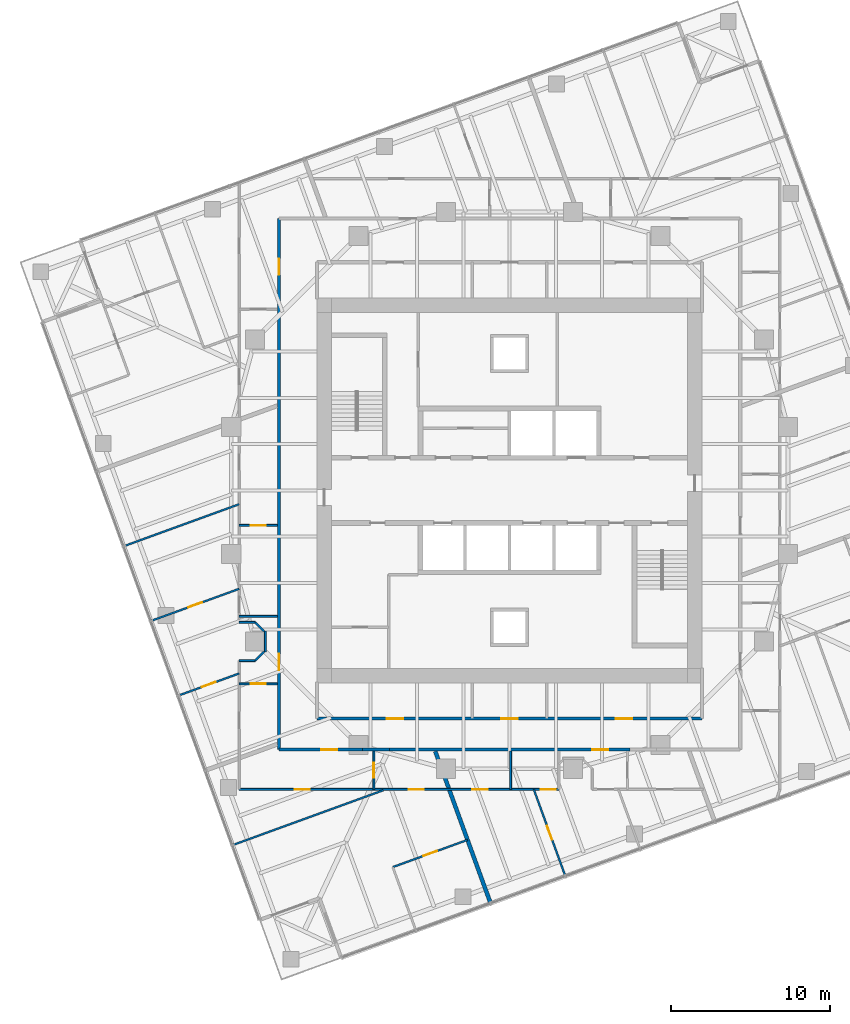
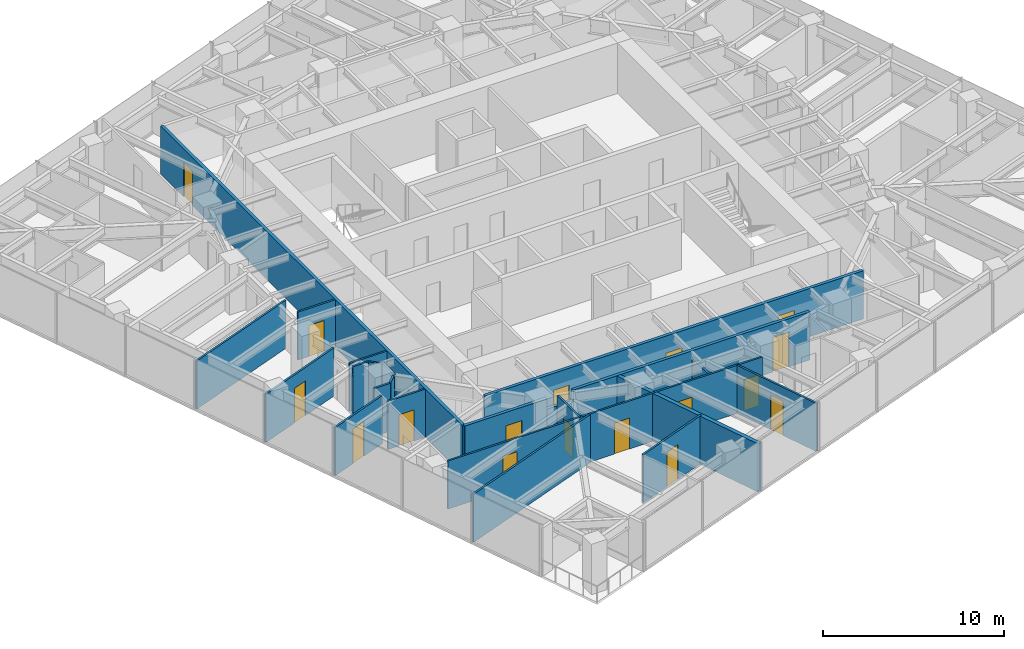
# One storey, part 7 of 13: 23 walls, 18 doors, 18 openings.
"""IFC4 building model written with IfcOpenShell, lengths in metres."""

from ifc_helpers import new_model, si_unit, direction, frame, frame_2d, origin, place, context, subcontext, project, spatial, rectangle, extrude, material, layer, layer_set, type_object, element, fill, save


model = new_model("IFC4")

# Units and contexts
model_context = context("Model", 3, precision=1e-05, world=origin(), true_north=direction((0.0, 1.0)))
body_context = subcontext(model_context, "Body", "Model", "MODEL_VIEW")
ifc_project = project(units=[si_unit("LENGTHUNIT", "METRE"), si_unit("AREAUNIT", "SQUARE_METRE"), si_unit("VOLUMEUNIT", "CUBIC_METRE"), si_unit("PLANEANGLEUNIT", "RADIAN"), si_unit("MASSUNIT", "GRAM", prefix="KILO")], contexts=[model_context])

# Site, building, storey
site_placement = place(None, origin())
site = spatial("IfcSite", under=ifc_project, at=site_placement, CompositionType="ELEMENT")
building_placement = place(site_placement, origin())
building = spatial("IfcBuilding", under=site, at=building_placement, Name="Torsade Residences", CompositionType="ELEMENT")
storey_placement = place(building_placement, frame((0.0, 0.0, 154.0)))
storey = spatial("IfcBuildingStorey", under=building, at=storey_placement, Name="L42", CompositionType="ELEMENT", Elevation=154.0)

# Wall, opening, door
ifc_material_1 = material(Name="Plasterboard on steel stud", Category="steel")
ifc_layer_1 = layer(ifc_material_1, 0.199951171875)
ifc_layer_set_1 = layer_set([ifc_layer_1], Name="Plasterboard on steel stud")
wall_type_1 = type_object("IfcWallType", Name="CORRIDOR WALL 200", PredefinedType="PARTITIONING", material=ifc_layer_set_1)
wall_1_placement = place(storey_placement, frame((25.5, 13.699951171875, 0.0), z_axis=(0.0, 0.0, 1.0), x_axis=(1.0, 0.0, 0.0)))
wall_1 = element("IfcWall", 1, at=wall_1_placement, inside=storey, type_object=wall_type_1, Name="Corridor wall L42", PredefinedType="PARTITIONING", context=body_context, shape_type="SweptSolid", body=[
    extrude(rectangle(XDim=5.25830078125, YDim=0.199951171875, at=frame_2d((2.629150390625, 0.0))), origin(), (0.0, 0.0, 1.0), 3.25),
])
opening_1_placement = place(wall_1_placement, frame((2.646240234375, 0.0, 0.0)))
opening_1 = element("IfcOpeningElement", 2, at=opening_1_placement, cuts=wall_1, Name="Opening D01", PredefinedType="OPENING", context=body_context, shape_type="SweptSolid", body=[
    extrude(rectangle(XDim=1.02001953125, YDim=2.340087890625, at=frame_2d((0.510009765625, 1.169921875))), frame((0.0, 0.10986328125, 0.0), z_axis=(0.0, -1.0, 0.0), x_axis=(1.0, 0.0, 0.0)), (0.0, 0.0, 1.0), 0.219970703125),
])
ifc_material_2 = material(Name="Solid-core timber fire door", Category="wood")
door_type_1 = type_object("IfcDoorType", Name="APARTMENT ENTRY DOOR 1020x2340", OperationType="NOTDEFINED", PredefinedType="DOOR", material=ifc_material_2)
door_1_placement = place(opening_1_placement, origin())
door_1 = element("IfcDoor", 3, at=door_1_placement, inside=storey, type_object=door_type_1, Name="Door Residential corridor to Kitchen and dining", OperationType="SINGLE_SWING_RIGHT", OverallHeight=2.340087890625, OverallWidth=1.02001953125, PredefinedType="DOOR", context=body_context, shape_type="SweptSolid", body=[
    extrude(rectangle(XDim=1.02001953125, YDim=2.340087890625, at=frame_2d((0.510009765625, 1.169921875))), frame((0.0, 0.02490234375, 0.0), z_axis=(0.0, -1.0, 0.0), x_axis=(1.0, 0.0, 0.0)), (0.0, 0.0, 1.0), 0.050048828125),
])
fill(opening_1, door_1)

# Wall
wall_2_placement = place(storey_placement, frame((30.75830078125, 13.699951171875, 0.0), z_axis=(0.0, 0.0, 1.0), x_axis=(1.0, 0.0, 0.0)))
element("IfcWall", 4, at=wall_2_placement, inside=storey, type_object=wall_type_1, Name="Corridor wall L42", PredefinedType="PARTITIONING", context=body_context, shape_type="SweptSolid", body=[
    extrude(rectangle(XDim=1.683349609375, YDim=0.199951171875, at=frame_2d((0.841796875, 0.0))), origin(), (0.0, 0.0, 1.0), 2.550048828125),
])

# Wall, opening, door
wall_3_placement = place(storey_placement, frame((32.441650390625, 13.699951171875, 0.0), z_axis=(0.0, 0.0, 1.0), x_axis=(1.0, 0.0, 0.0)))
wall_3 = element("IfcWall", 5, at=wall_3_placement, inside=storey, type_object=wall_type_1, Name="Corridor wall L42", PredefinedType="PARTITIONING", context=body_context, shape_type="SweptSolid", body=[
    extrude(rectangle(XDim=15.11669921875, YDim=0.199951171875, at=frame_2d((7.558349609375, 0.0))), origin(), (0.0, 0.0, 1.0), 3.25),
])
opening_2_placement = place(wall_3_placement, frame((12.755126953125, 0.0, 0.0)))
opening_2 = element("IfcOpeningElement", 6, at=opening_2_placement, cuts=wall_3, Name="Opening D01", PredefinedType="OPENING", context=body_context, shape_type="SweptSolid", body=[
    extrude(rectangle(XDim=1.02001953125, YDim=2.340087890625, at=frame_2d((0.510009765625, 1.169921875))), frame((0.0, 0.10986328125, 0.0), z_axis=(0.0, -1.0, 0.0), x_axis=(1.0, 0.0, 0.0)), (0.0, 0.0, 1.0), 0.219970703125),
])
door_2_placement = place(opening_2_placement, origin())
door_2 = element("IfcDoor", 7, at=door_2_placement, inside=storey, type_object=door_type_1, Name="Door Residential corridor to Kitchen and dining", OperationType="SINGLE_SWING_RIGHT", OverallHeight=2.340087890625, OverallWidth=1.02001953125, PredefinedType="DOOR", context=body_context, shape_type="SweptSolid", body=[
    extrude(rectangle(XDim=1.02001953125, YDim=2.340087890625, at=frame_2d((0.510009765625, 1.169921875))), frame((0.0, 0.02490234375, 0.0), z_axis=(0.0, -1.0, 0.0), x_axis=(1.0, 0.0, 0.0)), (0.0, 0.0, 1.0), 0.050048828125),
])
fill(opening_2, door_2)

# Wall, openings, doors
wall_4_placement = place(storey_placement, frame((25.5, 47.10009765625, 0.0), z_axis=(0.0, 0.0, 1.0), x_axis=(0.0, -1.0, 0.0)))
wall_4 = element("IfcWall", 8, at=wall_4_placement, inside=storey, type_object=wall_type_1, Name="Corridor wall L42", PredefinedType="PARTITIONING", context=body_context, shape_type="SweptSolid", body=[
    extrude(rectangle(XDim=33.400146484375, YDim=0.199951171875, at=frame_2d((16.7001953125, 0.0))), origin(), (0.0, 0.0, 1.0), 3.25),
])
opening_3_placement = place(wall_4_placement, frame((2.52001953125, 0.0, 0.0)))
opening_3 = element("IfcOpeningElement", 9, at=opening_3_placement, cuts=wall_4, Name="Opening D01", PredefinedType="OPENING", context=body_context, shape_type="SweptSolid", body=[
    extrude(rectangle(XDim=1.02001953125, YDim=2.340087890625, at=frame_2d((0.510009765625, 1.169921875))), frame((0.0, 0.10986328125, 0.0), z_axis=(0.0, -1.0, 0.0), x_axis=(1.0, 0.0, 0.0)), (0.0, 0.0, 1.0), 0.219970703125),
])
opening_4_placement = place(wall_4_placement, frame((27.3828125, 0.0, 0.0)))
opening_4 = element("IfcOpeningElement", 10, at=opening_4_placement, cuts=wall_4, Name="Opening D01L", PredefinedType="OPENING", context=body_context, shape_type="SweptSolid", body=[
    extrude(rectangle(XDim=1.02001953125, YDim=2.10009765625, at=frame_2d((0.510009765625, 1.050048828125))), frame((0.0, 0.10986328125, 0.0), z_axis=(0.0, -1.0, 0.0), x_axis=(1.0, 0.0, 0.0)), (0.0, 0.0, 1.0), 0.219970703125),
])
ifc_material_3 = material(Name="Solid-core timber fire door", Category="wood")
door_type_2 = type_object("IfcDoorType", Name="APARTMENT ENTRY DOOR 1020x2100", OperationType="NOTDEFINED", PredefinedType="DOOR", material=ifc_material_3)
door_3_placement = place(opening_4_placement, origin())
door_3 = element("IfcDoor", 11, at=door_3_placement, inside=storey, type_object=door_type_2, Name="Door Residential corridor to Kitchen and dining", OperationType="SINGLE_SWING_RIGHT", OverallHeight=2.10009765625, OverallWidth=1.02001953125, PredefinedType="DOOR", context=body_context, shape_type="SweptSolid", body=[
    extrude(rectangle(XDim=1.02001953125, YDim=2.10009765625, at=frame_2d((0.510009765625, 1.050048828125))), frame((0.0, 0.02490234375, 0.0), z_axis=(0.0, -1.0, 0.0), x_axis=(1.0, 0.0, 0.0)), (0.0, 0.0, 1.0), 0.050048828125),
])
fill(opening_4, door_3)
door_4_placement = place(opening_3_placement, origin())
door_4 = element("IfcDoor", 12, at=door_4_placement, inside=storey, type_object=door_type_1, Name="Door Residential corridor to Kitchen and dining", OperationType="SINGLE_SWING_LEFT", OverallHeight=2.340087890625, OverallWidth=1.02001953125, PredefinedType="DOOR", context=body_context, shape_type="SweptSolid", body=[
    extrude(rectangle(XDim=1.02001953125, YDim=2.340087890625, at=frame_2d((0.510009765625, 1.169921875))), frame((0.0, 0.02490234375, 0.0), z_axis=(0.0, -1.0, 0.0), x_axis=(1.0, 0.0, 0.0)), (0.0, 0.0, 1.0), 0.050048828125),
])
fill(opening_3, door_4)

wall_5_placement = place(storey_placement, frame((27.89990234375, 15.64990234375, 0.0), z_axis=(0.0, 0.0, 1.0), x_axis=(1.0, 0.0, 0.0)))
wall_5 = element("IfcWall", 13, at=wall_5_placement, inside=storey, type_object=wall_type_1, Name="Corridor wall L42", PredefinedType="PARTITIONING", context=body_context, shape_type="SweptSolid", body=[
    extrude(rectangle(XDim=24.2001953125, YDim=0.199951171875, at=frame_2d((12.10009765625, 0.0))), origin(), (0.0, 0.0, 1.0), 3.25),
])
opening_5_placement = place(wall_5_placement, frame((4.391357421875, 0.0, 0.0)))
opening_5 = element("IfcOpeningElement", 14, at=opening_5_placement, cuts=wall_5, Name="Opening D03", PredefinedType="OPENING", context=body_context, shape_type="SweptSolid", body=[
    extrude(rectangle(XDim=1.02001953125, YDim=2.10009765625, at=frame_2d((0.510009765625, 1.050048828125))), frame((0.0, 0.10986328125, 0.0), z_axis=(0.0, -1.0, 0.0), x_axis=(1.0, 0.0, 0.0)), (0.0, 0.0, 1.0), 0.219970703125),
])
opening_6_placement = place(wall_5_placement, frame((18.788818359375, 0.0, 0.0)))
opening_6 = element("IfcOpeningElement", 15, at=opening_6_placement, cuts=wall_5, Name="Opening D03", PredefinedType="OPENING", context=body_context, shape_type="SweptSolid", body=[
    extrude(rectangle(XDim=1.02001953125, YDim=2.10009765625, at=frame_2d((0.510009765625, 1.050048828125))), frame((0.0, 0.10986328125, 0.0), z_axis=(0.0, -1.0, 0.0), x_axis=(1.0, 0.0, 0.0)), (0.0, 0.0, 1.0), 0.219970703125),
])
opening_7_placement = place(wall_5_placement, frame((11.590087890625, 0.0, 0.0)))
opening_7 = element("IfcOpeningElement", 16, at=opening_7_placement, cuts=wall_5, Name="Opening D03", PredefinedType="OPENING", context=body_context, shape_type="SweptSolid", body=[
    extrude(rectangle(XDim=1.02001953125, YDim=2.10009765625, at=frame_2d((0.510009765625, 1.050048828125))), frame((0.0, 0.10986328125, 0.0), z_axis=(0.0, -1.0, 0.0), x_axis=(1.0, 0.0, 0.0)), (0.0, 0.0, 1.0), 0.219970703125),
])
ifc_material_4 = material(Name="Steel-framed fire door", Category="steel")
door_type_3 = type_object("IfcDoorType", Name="FIRE DOOR 1020", OperationType="NOTDEFINED", PredefinedType="DOOR", material=ifc_material_4)
door_5_placement = place(opening_5_placement, origin())
door_5 = element("IfcDoor", 17, at=door_5_placement, inside=storey, type_object=door_type_3, Name="Door Residential corridor to Residents storage", OperationType="SINGLE_SWING_RIGHT", OverallHeight=2.10009765625, OverallWidth=1.02001953125, PredefinedType="DOOR", context=body_context, shape_type="SweptSolid", body=[
    extrude(rectangle(XDim=1.02001953125, YDim=2.10009765625, at=frame_2d((0.510009765625, 1.050048828125))), frame((0.0, 0.02490234375, 0.0), z_axis=(0.0, -1.0, 0.0), x_axis=(1.0, 0.0, 0.0)), (0.0, 0.0, 1.0), 0.050048828125),
])
fill(opening_5, door_5)
door_6_placement = place(opening_6_placement, origin())
door_6 = element("IfcDoor", 18, at=door_6_placement, inside=storey, type_object=door_type_3, Name="Door Residential corridor to Parcel room", OperationType="SINGLE_SWING_LEFT", OverallHeight=2.10009765625, OverallWidth=1.02001953125, PredefinedType="DOOR", context=body_context, shape_type="SweptSolid", body=[
    extrude(rectangle(XDim=1.02001953125, YDim=2.10009765625, at=frame_2d((0.510009765625, 1.050048828125))), frame((0.0, 0.02490234375, 0.0), z_axis=(0.0, -1.0, 0.0), x_axis=(1.0, 0.0, 0.0)), (0.0, 0.0, 1.0), 0.050048828125),
])
fill(opening_6, door_6)
door_7_placement = place(opening_7_placement, origin())
door_7 = element("IfcDoor", 19, at=door_7_placement, inside=storey, type_object=door_type_3, Name="Door Residential corridor to Cleaner store", OperationType="SINGLE_SWING_LEFT", OverallHeight=2.10009765625, OverallWidth=1.02001953125, PredefinedType="DOOR", context=body_context, shape_type="SweptSolid", body=[
    extrude(rectangle(XDim=1.02001953125, YDim=2.10009765625, at=frame_2d((0.510009765625, 1.050048828125))), frame((0.0, 0.02490234375, 0.0), z_axis=(0.0, -1.0, 0.0), x_axis=(1.0, 0.0, 0.0)), (0.0, 0.0, 1.0), 0.050048828125),
])
fill(opening_7, door_7)

# Walls
ifc_material_5 = material(Name="Plasterboard on steel stud", Category="steel")
ifc_layer_2 = layer(ifc_material_5, 0.1201171875)
ifc_layer_set_2 = layer_set([ifc_layer_2], Name="Plasterboard on steel stud")
wall_type_2 = type_object("IfcWallType", Name="PARTITION 120", PredefinedType="PARTITIONING", material=ifc_layer_set_2)
wall_6_placement = place(storey_placement, frame((23.0, 22.076416015625, 0.0), z_axis=(0.0, 0.0, 1.0), x_axis=(1.0, 0.0, 0.0)))
element("IfcWall", 20, at=wall_6_placement, inside=storey, type_object=wall_type_2, Name="Partition L42", PredefinedType="PARTITIONING", context=body_context, shape_type="SweptSolid", body=[
    extrude(rectangle(XDim=2.39990234375, YDim=0.1201171875, at=frame_2d((1.199951171875, 0.0))), origin(), (0.0, 0.0, 1.0), 3.25),
])
wall_7_placement = place(storey_placement, frame((23.0, 19.300048828125, 0.0), z_axis=(0.0, 0.0, 1.0), x_axis=(1.0, 0.0, 0.0)))
element("IfcWall", 21, at=wall_7_placement, inside=storey, type_object=wall_type_2, Name="Partition L42", PredefinedType="PARTITIONING", context=body_context, shape_type="SweptSolid", body=[
    extrude(rectangle(XDim=1.0, YDim=0.1201171875, at=frame_2d((0.5, 0.0))), origin(), (0.0, 0.0, 1.0), 3.25),
])
wall_8_placement = place(storey_placement, frame((24.0, 19.300048828125, 0.0), z_axis=(0.0, 0.0, 1.0), x_axis=(0.707106781187, 0.707106781187, 0.0)))
element("IfcWall", 22, at=wall_8_placement, inside=storey, type_object=wall_type_2, Name="Partition L42", PredefinedType="PARTITIONING", context=body_context, shape_type="SweptSolid", body=[
    extrude(rectangle(XDim=0.77783203125, YDim=0.1201171875, at=frame_2d((0.388916015625, 0.0))), origin(), (0.0, 0.0, 1.0), 3.25),
])
wall_9_placement = place(storey_placement, frame((24.64990234375, 19.85009765625, 0.0), z_axis=(0.0, 0.0, 1.0), x_axis=(0.0, 1.0, 0.0)))
element("IfcWall", 23, at=wall_9_placement, inside=storey, type_object=wall_type_2, Name="Partition L42", PredefinedType="PARTITIONING", context=body_context, shape_type="SweptSolid", body=[
    extrude(rectangle(XDim=1.2998046875, YDim=0.1201171875, at=frame_2d((0.64990234375, 0.0))), origin(), (0.0, 0.0, 1.0), 3.25),
])
wall_10_placement = place(storey_placement, frame((24.550048828125, 21.14990234375, 0.0), z_axis=(0.0, 0.0, 1.0), x_axis=(-0.707106781187, 0.707106781187, 0.0)))
element("IfcWall", 24, at=wall_10_placement, inside=storey, type_object=wall_type_2, Name="Partition L42", PredefinedType="PARTITIONING", context=body_context, shape_type="SweptSolid", body=[
    extrude(rectangle(XDim=0.77783203125, YDim=0.1201171875, at=frame_2d((0.388916015625, 0.0))), origin(), (0.0, 0.0, 1.0), 3.25),
])
wall_11_placement = place(storey_placement, frame((24.0, 21.699951171875, 0.0), z_axis=(0.0, 0.0, 1.0), x_axis=(-1.0, 0.0, 0.0)))
element("IfcWall", 25, at=wall_11_placement, inside=storey, type_object=wall_type_2, Name="Partition L42", PredefinedType="PARTITIONING", context=body_context, shape_type="SweptSolid", body=[
    extrude(rectangle(XDim=1.0, YDim=0.1201171875, at=frame_2d((0.5, 0.0))), origin(), (0.0, 0.0, 1.0), 3.25),
])

# Wall, opening, door
wall_12_placement = place(storey_placement, frame((25.39990234375, 17.838134765625, 0.0), z_axis=(0.0, 0.0, 1.0), x_axis=(-1.0, 0.0, 0.0)))
wall_12 = element("IfcWall", 26, at=wall_12_placement, inside=storey, type_object=wall_type_2, Name="Partition L42", PredefinedType="PARTITIONING", context=body_context, shape_type="SweptSolid", body=[
    extrude(rectangle(XDim=2.39990234375, YDim=0.1201171875, at=frame_2d((1.199951171875, 0.0))), origin(), (0.0, 0.0, 1.0), 3.25),
])
opening_8_placement = place(wall_12_placement, frame((0.719970703125, 0.0, 0.0)))
opening_8 = element("IfcOpeningElement", 27, at=opening_8_placement, cuts=wall_12, Name="Opening D05", PredefinedType="OPENING", context=body_context, shape_type="SweptSolid", body=[
    extrude(rectangle(XDim=0.9599609375, YDim=2.10009765625, at=frame_2d((0.47998046875, 1.050048828125))), frame((0.0, 0.070068359375, 0.0), z_axis=(0.0, -1.0, 0.0), x_axis=(1.0, 0.0, 0.0)), (0.0, 0.0, 1.0), 0.14013671875),
])
ifc_material_6 = material(Name="Hollow-core timber door in a steel cavity frame", Category="steel")
door_type_4 = type_object("IfcDoorType", Name="BATHROOM CAVITY SLIDING DOOR 960", OperationType="SLIDING_TO_LEFT", PredefinedType="DOOR", material=ifc_material_6)
door_8_placement = place(opening_8_placement, origin())
door_8 = element("IfcDoor", 28, at=door_8_placement, inside=storey, type_object=door_type_4, Name="Door Kitchen and dining to WC", OperationType="SLIDING_TO_LEFT", OverallHeight=2.10009765625, OverallWidth=0.9599609375, PredefinedType="DOOR", context=body_context, shape_type="SweptSolid", body=[
    extrude(rectangle(XDim=0.9599609375, YDim=2.10009765625, at=frame_2d((0.47998046875, 1.050048828125))), frame((0.0, 0.02490234375, 0.0), z_axis=(0.0, -1.0, 0.0), x_axis=(1.0, 0.0, 0.0)), (0.0, 0.0, 1.0), 0.050048828125),
])
fill(opening_8, door_8)

wall_13_placement = place(storey_placement, frame((25.39990234375, 27.797607421875, 0.0), z_axis=(0.0, 0.0, 1.0), x_axis=(-1.0, 0.0, 0.0)))
wall_13 = element("IfcWall", 29, at=wall_13_placement, inside=storey, type_object=wall_type_2, Name="Partition L42", PredefinedType="PARTITIONING", context=body_context, shape_type="SweptSolid", body=[
    extrude(rectangle(XDim=2.39990234375, YDim=0.1201171875, at=frame_2d((1.199951171875, 0.0))), origin(), (0.0, 0.0, 1.0), 3.25),
])
opening_9_placement = place(wall_13_placement, frame((0.719970703125, 0.0, 0.0)))
opening_9 = element("IfcOpeningElement", 30, at=opening_9_placement, cuts=wall_13, Name="Opening D05", PredefinedType="OPENING", context=body_context, shape_type="SweptSolid", body=[
    extrude(rectangle(XDim=0.9599609375, YDim=2.10009765625, at=frame_2d((0.47998046875, 1.050048828125))), frame((0.0, 0.070068359375, 0.0), z_axis=(0.0, -1.0, 0.0), x_axis=(1.0, 0.0, 0.0)), (0.0, 0.0, 1.0), 0.14013671875),
])
door_9_placement = place(opening_9_placement, origin())
door_9 = element("IfcDoor", 31, at=door_9_placement, inside=storey, type_object=door_type_4, Name="Door Ensuite to Bathroom", OperationType="SLIDING_TO_LEFT", OverallHeight=2.10009765625, OverallWidth=0.9599609375, PredefinedType="DOOR", context=body_context, shape_type="SweptSolid", body=[
    extrude(rectangle(XDim=0.9599609375, YDim=2.10009765625, at=frame_2d((0.47998046875, 1.050048828125))), frame((0.0, 0.02490234375, 0.0), z_axis=(0.0, -1.0, 0.0), x_axis=(1.0, 0.0, 0.0)), (0.0, 0.0, 1.0), 0.050048828125),
])
fill(opening_9, door_9)

# Wall
wall_14_placement = place(storey_placement, frame((23.0, 29.133544921875, 0.0), z_axis=(0.0, 0.0, 1.0), x_axis=(-0.939685835373, -0.342038785519, 0.0)))
element("IfcWall", 32, at=wall_14_placement, inside=storey, type_object=wall_type_2, Name="Partition L42", PredefinedType="PARTITIONING", context=body_context, shape_type="SweptSolid", body=[
    extrude(rectangle(XDim=7.68896484375, YDim=0.1201171875, at=frame_2d((3.844482421875, 0.0))), origin(), (0.0, 0.0, 1.0), 3.25),
])

# Wall, opening, door
wall_15_placement = place(storey_placement, frame((23.0, 23.8125, 0.0), z_axis=(0.0, 0.0, 1.0), x_axis=(-0.939693791822, -0.342016925912, 0.0)))
wall_15 = element("IfcWall", 33, at=wall_15_placement, inside=storey, type_object=wall_type_2, Name="Partition L42", PredefinedType="PARTITIONING", context=body_context, shape_type="SweptSolid", body=[
    extrude(rectangle(XDim=5.869140625, YDim=0.1201171875, at=frame_2d((2.9345703125, 0.0))), origin(), (0.0, 0.0, 1.0), 3.25),
])
opening_10_placement = place(wall_15_placement, frame((2.494384765625, 0.0, 0.0)))
opening_10 = element("IfcOpeningElement", 34, at=opening_10_placement, cuts=wall_15, Name="Opening D02", PredefinedType="OPENING", context=body_context, shape_type="SweptSolid", body=[
    extrude(rectangle(XDim=0.919921875, YDim=2.340087890625, at=frame_2d((0.4599609375, 1.169921875))), frame((0.0, 0.070068359375, 0.0), z_axis=(0.0, -1.0, 0.0), x_axis=(1.0, 0.0, 0.0)), (0.0, 0.0, 1.0), 0.14013671875),
])
ifc_material_7 = material(Name="Hollow-core timber door", Category="wood")
door_type_5 = type_object("IfcDoorType", Name="INTERNAL DOOR 920x2340", OperationType="NOTDEFINED", PredefinedType="DOOR", material=ifc_material_7)
door_10_placement = place(opening_10_placement, origin())
door_10 = element("IfcDoor", 35, at=door_10_placement, inside=storey, type_object=door_type_5, Name="Door Bedroom 2 to Bedroom 1", OperationType="SINGLE_SWING_RIGHT", OverallHeight=2.340087890625, OverallWidth=0.919921875, PredefinedType="DOOR", context=body_context, shape_type="SweptSolid", body=[
    extrude(rectangle(XDim=0.919921875, YDim=2.340087890625, at=frame_2d((0.4599609375, 1.169921875))), frame((0.0, 0.02490234375, 0.0), z_axis=(0.0, -1.0, 0.0), x_axis=(1.0, 0.0, 0.0)), (0.0, 0.0, 1.0), 0.050048828125),
])
fill(opening_10, door_10)

wall_16_placement = place(storey_placement, frame((23.0, 18.49169921875, 0.0), z_axis=(0.0, 0.0, 1.0), x_axis=(-0.939682468191, -0.342048036063, 0.0)))
wall_16 = element("IfcWall", 36, at=wall_16_placement, inside=storey, type_object=wall_type_2, Name="Partition L42", PredefinedType="PARTITIONING", context=body_context, shape_type="SweptSolid", body=[
    extrude(rectangle(XDim=4.049072265625, YDim=0.1201171875, at=frame_2d((2.0244140625, 0.0))), origin(), (0.0, 0.0, 1.0), 3.25),
])
opening_11_placement = place(wall_16_placement, frame((1.58447265625, 0.0, 0.0)))
opening_11 = element("IfcOpeningElement", 37, at=opening_11_placement, cuts=wall_16, Name="Opening D02", PredefinedType="OPENING", context=body_context, shape_type="SweptSolid", body=[
    extrude(rectangle(XDim=0.919921875, YDim=2.340087890625, at=frame_2d((0.4599609375, 1.169921875))), frame((0.0, 0.070068359375, 0.0), z_axis=(0.0, -1.0, 0.0), x_axis=(1.0, 0.0, 0.0)), (0.0, 0.0, 1.0), 0.14013671875),
])
door_11_placement = place(opening_11_placement, origin())
door_11 = element("IfcDoor", 38, at=door_11_placement, inside=storey, type_object=door_type_5, Name="Door Bedroom 3 to Bedroom 2", OperationType="SINGLE_SWING_LEFT", OverallHeight=2.340087890625, OverallWidth=0.919921875, PredefinedType="DOOR", context=body_context, shape_type="SweptSolid", body=[
    extrude(rectangle(XDim=0.919921875, YDim=2.340087890625, at=frame_2d((0.4599609375, 1.169921875))), frame((0.0, 0.02490234375, 0.0), z_axis=(0.0, -1.0, 0.0), x_axis=(1.0, 0.0, 0.0)), (0.0, 0.0, 1.0), 0.050048828125),
])
fill(opening_11, door_11)

wall_17_placement = place(storey_placement, frame((31.46240234375, 13.60009765625, 0.0), z_axis=(0.0, 0.0, 1.0), x_axis=(0.0, -1.0, 0.0)))
wall_17 = element("IfcWall", 39, at=wall_17_placement, inside=storey, type_object=wall_type_2, Name="Partition L42", PredefinedType="PARTITIONING", context=body_context, shape_type="SweptSolid", body=[
    extrude(rectangle(XDim=2.400146484375, YDim=0.1201171875, at=frame_2d((1.2001953125, 0.0))), origin(), (0.0, 0.0, 1.0), 3.25),
])
opening_12_placement = place(wall_17_placement, frame((0.719970703125, 0.0, 0.0)))
opening_12 = element("IfcOpeningElement", 40, at=opening_12_placement, cuts=wall_17, Name="Opening D05", PredefinedType="OPENING", context=body_context, shape_type="SweptSolid", body=[
    extrude(rectangle(XDim=0.9599609375, YDim=2.10009765625, at=frame_2d((0.47998046875, 1.050048828125))), frame((0.0, 0.070068359375, 0.0), z_axis=(0.0, -1.0, 0.0), x_axis=(1.0, 0.0, 0.0)), (0.0, 0.0, 1.0), 0.14013671875),
])
door_12_placement = place(opening_12_placement, origin())
door_12 = element("IfcDoor", 41, at=door_12_placement, inside=storey, type_object=door_type_4, Name="Door Kitchen and dining to Bathroom", OperationType="SLIDING_TO_LEFT", OverallHeight=2.10009765625, OverallWidth=0.9599609375, PredefinedType="DOOR", context=body_context, shape_type="SweptSolid", body=[
    extrude(rectangle(XDim=0.9599609375, YDim=2.10009765625, at=frame_2d((0.47998046875, 1.050048828125))), frame((0.0, 0.02490234375, 0.0), z_axis=(0.0, -1.0, 0.0), x_axis=(1.0, 0.0, 0.0)), (0.0, 0.0, 1.0), 0.050048828125),
])
fill(opening_12, door_12)

# Wall, openings, doors
wall_18_placement = place(storey_placement, frame((43.097900390625, 11.199951171875, 0.0), z_axis=(0.0, 0.0, 1.0), x_axis=(-1.0, 0.0, 0.0)))
wall_18 = element("IfcWall", 42, at=wall_18_placement, inside=storey, type_object=wall_type_2, Name="Partition L42", PredefinedType="PARTITIONING", context=body_context, shape_type="SweptSolid", body=[
    extrude(rectangle(XDim=20.097900390625, YDim=0.1201171875, at=frame_2d((10.048828125, 0.0))), origin(), (0.0, 0.0, 1.0), 3.25),
])
opening_13_placement = place(wall_18_placement, frame((15.671142578125, 0.0, 0.0)))
opening_13 = element("IfcOpeningElement", 43, at=opening_13_placement, cuts=wall_18, Name="Opening D02", PredefinedType="OPENING", context=body_context, shape_type="SweptSolid", body=[
    extrude(rectangle(XDim=0.919921875, YDim=2.340087890625, at=frame_2d((0.4599609375, 1.169921875))), frame((0.0, 0.070068359375, 0.0), z_axis=(0.0, -1.0, 0.0), x_axis=(1.0, 0.0, 0.0)), (0.0, 0.0, 1.0), 0.14013671875),
])
opening_14_placement = place(wall_18_placement, frame((8.488037109375, 0.0, 0.0)))
opening_14 = element("IfcOpeningElement", 44, at=opening_14_placement, cuts=wall_18, Name="Opening D05", PredefinedType="OPENING", context=body_context, shape_type="SweptSolid", body=[
    extrude(rectangle(XDim=0.9599609375, YDim=2.10009765625, at=frame_2d((0.47998046875, 1.050048828125))), frame((0.0, 0.070068359375, 0.0), z_axis=(0.0, -1.0, 0.0), x_axis=(1.0, 0.0, 0.0)), (0.0, 0.0, 1.0), 0.14013671875),
])
opening_15_placement = place(wall_18_placement, frame((0.1845703125, 0.0, 0.0)))
opening_15 = element("IfcOpeningElement", 45, at=opening_15_placement, cuts=wall_18, Name="Opening D05", PredefinedType="OPENING", context=body_context, shape_type="SweptSolid", body=[
    extrude(rectangle(XDim=0.9599609375, YDim=2.10009765625, at=frame_2d((0.47998046875, 1.050048828125))), frame((0.0, 0.070068359375, 0.0), z_axis=(0.0, -1.0, 0.0), x_axis=(1.0, 0.0, 0.0)), (0.0, 0.0, 1.0), 0.14013671875),
])
opening_16_placement = place(wall_18_placement, frame((4.48388671875, 0.0, 0.0)))
opening_16 = element("IfcOpeningElement", 46, at=opening_16_placement, cuts=wall_18, Name="Opening D05", PredefinedType="OPENING", context=body_context, shape_type="SweptSolid", body=[
    extrude(rectangle(XDim=0.9599609375, YDim=2.10009765625, at=frame_2d((0.47998046875, 1.050048828125))), frame((0.0, 0.070068359375, 0.0), z_axis=(0.0, -1.0, 0.0), x_axis=(1.0, 0.0, 0.0)), (0.0, 0.0, 1.0), 0.14013671875),
])
door_13_placement = place(opening_14_placement, origin())
door_13 = element("IfcDoor", 47, at=door_13_placement, inside=storey, type_object=door_type_4, Name="Door Bathroom to Living room", OperationType="SLIDING_TO_LEFT", OverallHeight=2.10009765625, OverallWidth=0.9599609375, PredefinedType="DOOR", context=body_context, shape_type="SweptSolid", body=[
    extrude(rectangle(XDim=0.9599609375, YDim=2.10009765625, at=frame_2d((0.47998046875, 1.050048828125))), frame((0.0, 0.02490234375, 0.0), z_axis=(0.0, -1.0, 0.0), x_axis=(1.0, 0.0, 0.0)), (0.0, 0.0, 1.0), 0.050048828125),
])
fill(opening_14, door_13)
door_14_placement = place(opening_15_placement, origin())
door_14 = element("IfcDoor", 48, at=door_14_placement, inside=storey, type_object=door_type_4, Name="Door Bedroom 1 to Ensuite", OperationType="SLIDING_TO_LEFT", OverallHeight=2.10009765625, OverallWidth=0.9599609375, PredefinedType="DOOR", context=body_context, shape_type="SweptSolid", body=[
    extrude(rectangle(XDim=0.9599609375, YDim=2.10009765625, at=frame_2d((0.47998046875, 1.050048828125))), frame((0.0, 0.02490234375, 0.0), z_axis=(0.0, -1.0, 0.0), x_axis=(1.0, 0.0, 0.0)), (0.0, 0.0, 1.0), 0.050048828125),
])
fill(opening_15, door_14)
door_15_placement = place(opening_16_placement, origin())
door_15 = element("IfcDoor", 49, at=door_15_placement, inside=storey, type_object=door_type_4, Name="Door Living room to Bathroom", OperationType="SLIDING_TO_LEFT", OverallHeight=2.10009765625, OverallWidth=0.9599609375, PredefinedType="DOOR", context=body_context, shape_type="SweptSolid", body=[
    extrude(rectangle(XDim=0.9599609375, YDim=2.10009765625, at=frame_2d((0.47998046875, 1.050048828125))), frame((0.0, 0.02490234375, 0.0), z_axis=(0.0, -1.0, 0.0), x_axis=(1.0, 0.0, 0.0)), (0.0, 0.0, 1.0), 0.050048828125),
])
fill(opening_16, door_15)
door_16_placement = place(opening_13_placement, origin())
door_16 = element("IfcDoor", 50, at=door_16_placement, inside=storey, type_object=door_type_5, Name="Door Kitchen and dining to Bedroom 1", OperationType="SINGLE_SWING_RIGHT", OverallHeight=2.340087890625, OverallWidth=0.919921875, PredefinedType="DOOR", context=body_context, shape_type="SweptSolid", body=[
    extrude(rectangle(XDim=0.919921875, YDim=2.340087890625, at=frame_2d((0.4599609375, 1.169921875))), frame((0.0, 0.02490234375, 0.0), z_axis=(0.0, -1.0, 0.0), x_axis=(1.0, 0.0, 0.0)), (0.0, 0.0, 1.0), 0.050048828125),
])
fill(opening_13, door_16)

# Wall
wall_19_placement = place(storey_placement, frame((22.615234375, 7.709716796875, 0.0), z_axis=(0.0, 0.0, 1.0), x_axis=(0.939687691256, 0.342033686794, 0.0)))
element("IfcWall", 51, at=wall_19_placement, inside=storey, type_object=wall_type_2, Name="Partition L42", PredefinedType="PARTITIONING", context=body_context, shape_type="SweptSolid", body=[
    extrude(rectangle(XDim=10.049560546875, YDim=0.1201171875, at=frame_2d((5.02490234375, 0.0))), origin(), (0.0, 0.0, 1.0), 3.25),
])

# Wall, opening, door
wall_20_placement = place(storey_placement, frame((37.356201171875, 8.02587890625, 0.0), z_axis=(0.0, 0.0, 1.0), x_axis=(-0.939704826744, -0.34198660587, 0.0)))
wall_20 = element("IfcWall", 52, at=wall_20_placement, inside=storey, type_object=wall_type_2, Name="Partition L42", PredefinedType="PARTITIONING", context=body_context, shape_type="SweptSolid", body=[
    extrude(rectangle(XDim=4.989990234375, YDim=0.1201171875, at=frame_2d((2.4951171875, 0.0))), origin(), (0.0, 0.0, 1.0), 3.25),
])
opening_17_placement = place(wall_20_placement, frame((2.034912109375, 0.0, 0.0)))
opening_17 = element("IfcOpeningElement", 53, at=opening_17_placement, cuts=wall_20, Name="Opening D02", PredefinedType="OPENING", context=body_context, shape_type="SweptSolid", body=[
    extrude(rectangle(XDim=0.919921875, YDim=2.340087890625, at=frame_2d((0.4599609375, 1.169921875))), frame((0.0, 0.070068359375, 0.0), z_axis=(0.0, -1.0, 0.0), x_axis=(1.0, 0.0, 0.0)), (0.0, 0.0, 1.0), 0.14013671875),
])
door_17_placement = place(opening_17_placement, origin())
door_17 = element("IfcDoor", 54, at=door_17_placement, inside=storey, type_object=door_type_5, Name="Door Living room to Bedroom 2", OperationType="SINGLE_SWING_LEFT", OverallHeight=2.340087890625, OverallWidth=0.919921875, PredefinedType="DOOR", context=body_context, shape_type="SweptSolid", body=[
    extrude(rectangle(XDim=0.919921875, YDim=2.340087890625, at=frame_2d((0.4599609375, 1.169921875))), frame((0.0, 0.02490234375, 0.0), z_axis=(0.0, -1.0, 0.0), x_axis=(1.0, 0.0, 0.0)), (0.0, 0.0, 1.0), 0.050048828125),
])
fill(opening_17, door_17)

# Wall
wall_21_placement = place(storey_placement, frame((40.06689453125, 13.60009765625, 0.0), z_axis=(0.0, 0.0, 1.0), x_axis=(0.0, -1.0, 0.0)))
element("IfcWall", 55, at=wall_21_placement, inside=storey, type_object=wall_type_2, Name="Partition L42", PredefinedType="PARTITIONING", context=body_context, shape_type="SweptSolid", body=[
    extrude(rectangle(XDim=2.400146484375, YDim=0.1201171875, at=frame_2d((1.2001953125, 0.0))), origin(), (0.0, 0.0, 1.0), 2.7958984375),
])

# Wall, opening, door
wall_22_placement = place(storey_placement, frame((41.521728515625, 11.199951171875, 0.0), z_axis=(0.0, 0.0, 1.0), x_axis=(0.342028262279, -0.939689665689, 0.0)))
wall_22 = element("IfcWall", 56, at=wall_22_placement, inside=storey, type_object=wall_type_2, Name="Partition L42", PredefinedType="PARTITIONING", context=body_context, shape_type="SweptSolid", body=[
    extrude(rectangle(XDim=5.773193359375, YDim=0.1201171875, at=frame_2d((2.88671875, 0.0))), origin(), (0.0, 0.0, 1.0), 3.25),
])
opening_18_placement = place(wall_22_placement, frame((2.446533203125, 0.0, 0.0)))
opening_18 = element("IfcOpeningElement", 57, at=opening_18_placement, cuts=wall_22, Name="Opening D02", PredefinedType="OPENING", context=body_context, shape_type="SweptSolid", body=[
    extrude(rectangle(XDim=0.919921875, YDim=2.340087890625, at=frame_2d((0.4599609375, 1.169921875))), frame((0.0, 0.070068359375, 0.0), z_axis=(0.0, -1.0, 0.0), x_axis=(1.0, 0.0, 0.0)), (0.0, 0.0, 1.0), 0.14013671875),
])
door_18_placement = place(opening_18_placement, origin())
door_18 = element("IfcDoor", 58, at=door_18_placement, inside=storey, type_object=door_type_5, Name="Door Bedroom 1 to Living room", OperationType="SINGLE_SWING_LEFT", OverallHeight=2.340087890625, OverallWidth=0.919921875, PredefinedType="DOOR", context=body_context, shape_type="SweptSolid", body=[
    extrude(rectangle(XDim=0.919921875, YDim=2.340087890625, at=frame_2d((0.4599609375, 1.169921875))), frame((0.0, 0.02490234375, 0.0), z_axis=(0.0, -1.0, 0.0), x_axis=(1.0, 0.0, 0.0)), (0.0, 0.0, 1.0), 0.050048828125),
])
fill(opening_18, door_18)

# Wall
ifc_material_8 = material(Name="Masonry-lined stud party wall", Category="masonry")
ifc_layer_3 = layer(ifc_material_8, 0.25)
ifc_layer_set_3 = layer_set([ifc_layer_3], Name="Masonry-lined stud party wall")
wall_type_3 = type_object("IfcWallType", Name="PARTY WALL 250", PredefinedType="PARTITIONING", material=ifc_layer_set_3)
wall_23_placement = place(storey_placement, frame((38.8115234375, 4.027099609375, 0.0), z_axis=(0.0, 0.0, 1.0), x_axis=(-0.342027987857, 0.939689765573, 0.0)))
element("IfcWall", 59, at=wall_23_placement, inside=storey, type_object=wall_type_3, Name="Party wall L42", PredefinedType="PARTITIONING", context=body_context, shape_type="SweptSolid", body=[
    extrude(rectangle(XDim=10.181640625, YDim=0.25, at=frame_2d((5.0908203125, 0.0))), origin(), (0.0, 0.0, 1.0), 3.25),
])

save(model, "model.ifc")
